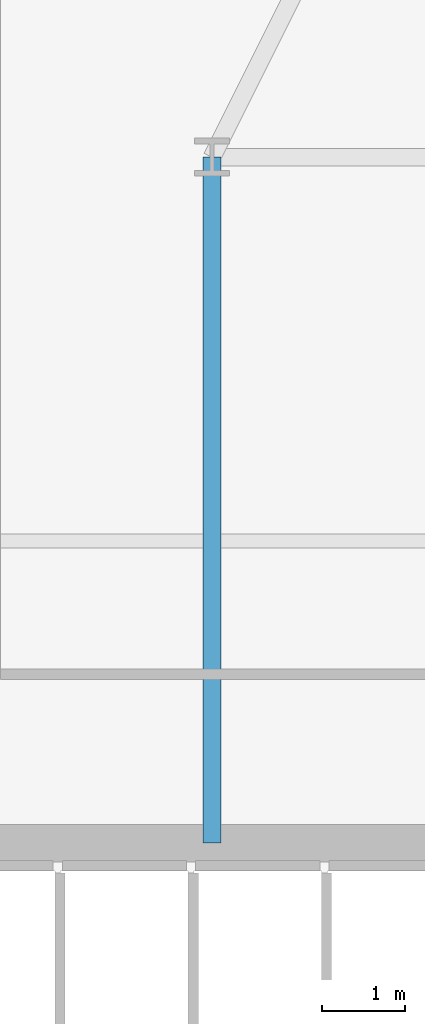
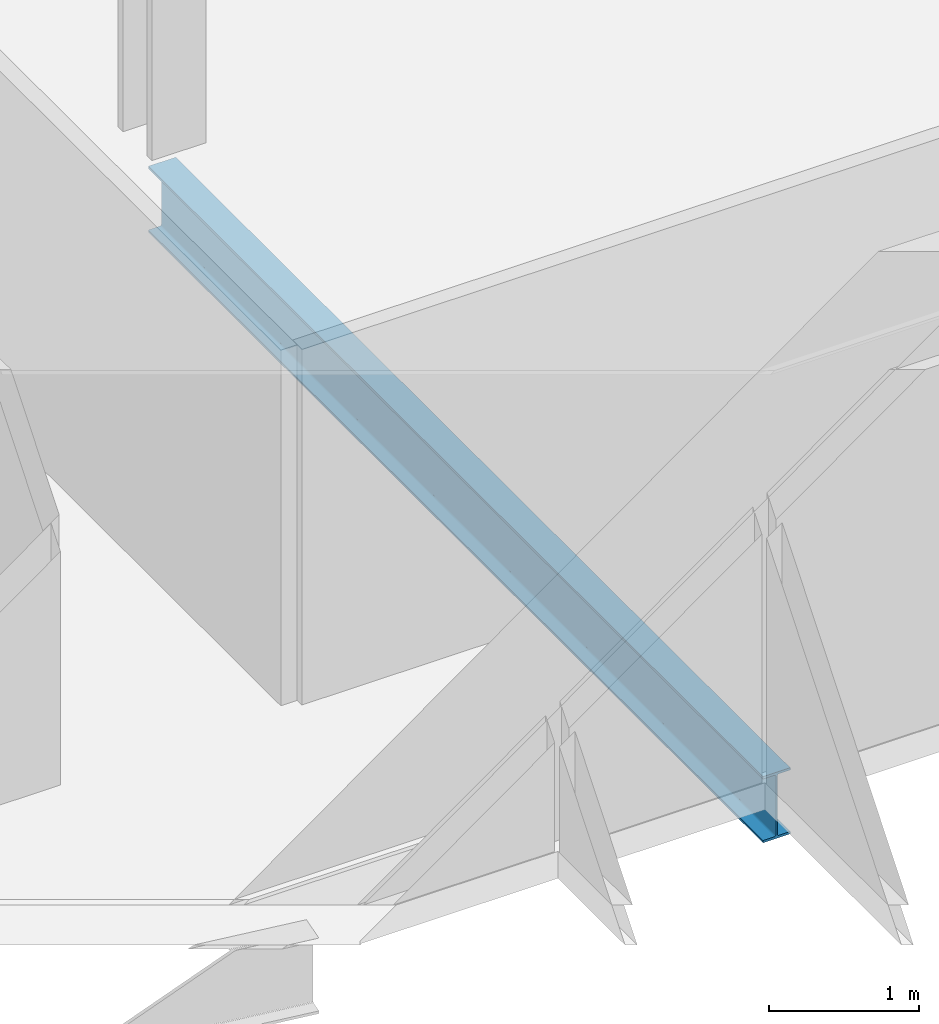
# One storey, part 5 of 32: 1 beam.
"""IFC4 building model written with IfcOpenShell, lengths in metres."""

from ifc_helpers import new_model, si_unit, direction, frame, origin, origin_2d, place, context, subcontext, project, spatial, i_section, extrude, material, material_profile, profile_set, type_object, element, save


model = new_model("IFC4")

# Units and contexts
model_context = context("Model", 3, precision=1e-05, world=origin(), true_north=direction((0.0, 1.0)))
body_context = subcontext(model_context, "Body", "Model", "MODEL_VIEW")
ifc_project = project(units=[si_unit("LENGTHUNIT", "METRE"), si_unit("AREAUNIT", "SQUARE_METRE"), si_unit("VOLUMEUNIT", "CUBIC_METRE"), si_unit("PLANEANGLEUNIT", "RADIAN"), si_unit("MASSUNIT", "GRAM", prefix="KILO")], contexts=[model_context])

# Site, building, storey
site_placement = place(None, origin())
site = spatial("IfcSite", under=ifc_project, at=site_placement, CompositionType="ELEMENT")
building_placement = place(site_placement, origin())
building = spatial("IfcBuilding", under=site, at=building_placement, Name="Ndaravel Arena Tower", CompositionType="ELEMENT")
storey_placement = place(building_placement, frame((0.0, 0.0, 51.199951171875)))
storey = spatial("IfcBuildingStorey", under=building, at=storey_placement, Name="L10", CompositionType="ELEMENT", Elevation=51.199951171875)

# Beam
ifc_material = material(Name="Steel S355", Category="steel")
ifc_material_profile = material_profile(ifc_material, i_section(OverallWidth=0.210693359375, OverallDepth=0.53955078125, WebThickness=0.01171875, FlangeThickness=0.018798828125, FilletRadius=0.0126953125, at=origin_2d()), Name="UB 533x210x109")
ifc_profile_set = profile_set([ifc_material_profile], Name="Steel S355")
beam_type = type_object("IfcBeamType", Name="BM-GIRD-UB533", PredefinedType="BEAM", material=ifc_profile_set)
beam_placement = place(storey_placement, frame((34.199951171875, 14.97998046875, -0.48974609375), z_axis=(0.0, 1.0, 0.0), x_axis=(-1.0, 0.0, 0.0)))
element("IfcBeam", 1, at=beam_placement, inside=storey, type_object=beam_type, Name="L10 Spine Link Girder SLG-01", PredefinedType="BEAM", context=body_context, shape_type="SweptSolid", body=[
    extrude(i_section(OverallWidth=0.210693359375, OverallDepth=0.53955078125, WebThickness=0.01171875, FlangeThickness=0.018798828125, FilletRadius=0.0126953125, at=origin_2d()), origin(), (0.0, 0.0, 1.0), 8.219970703125),
])

save(model, "model.ifc")
